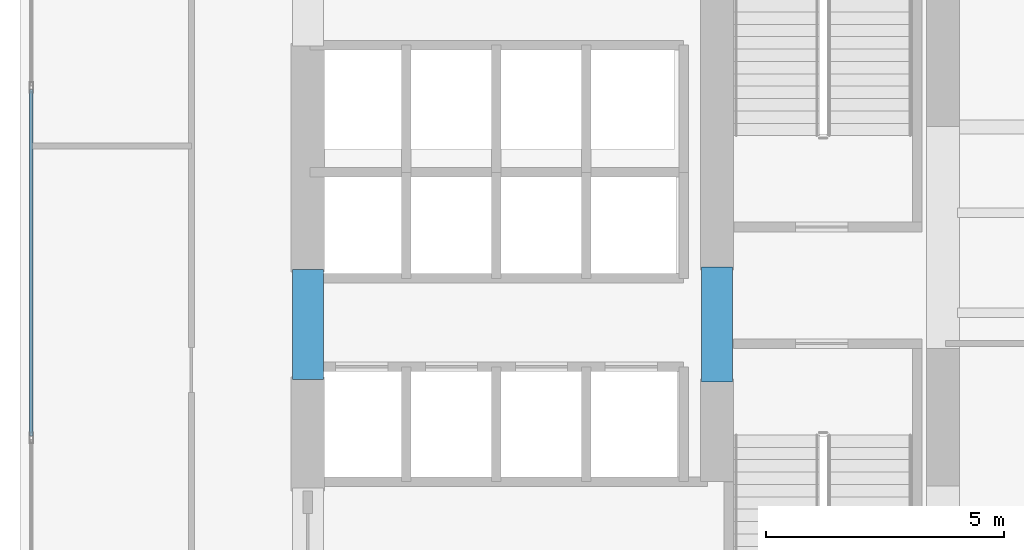
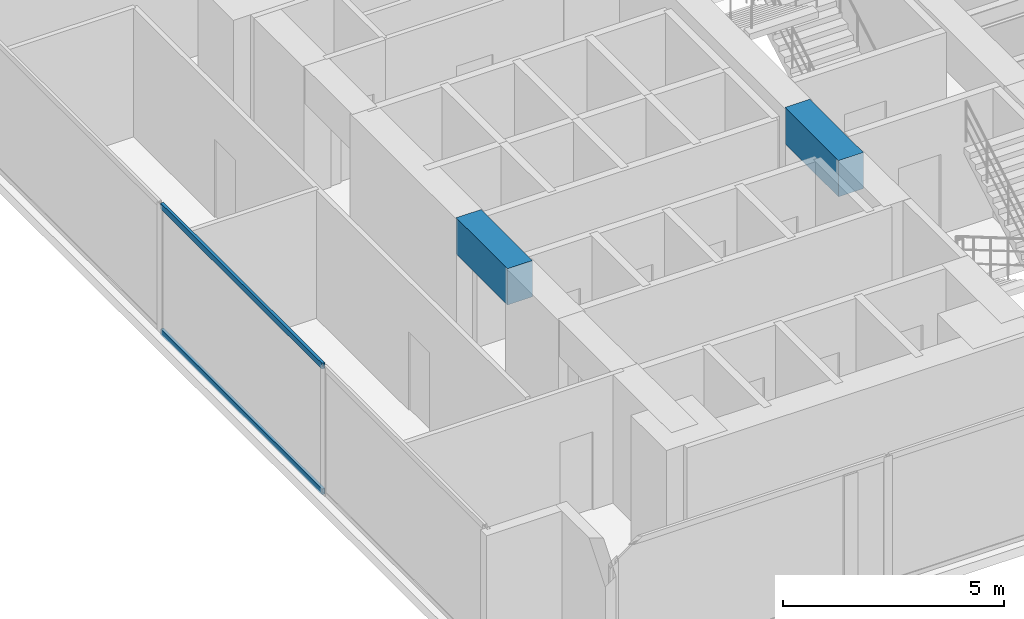
# One storey, part 3 of 30: 2 beams, 2 members, 1 element without a shape of its own.
"""IFC4 building model written with IfcOpenShell, lengths in metres."""

from ifc_helpers import new_model, si_unit, direction, frame, origin, origin_with_axes, origin_2d, place, context, subcontext, project, spatial, rectangle, hollow_rectangle, extrude, source, transform, mapped, material, layer, layer_set, material_profile, profile_set, type_object, element, aggregate, save


model = new_model("IFC4")

# Units and contexts
model_context = context("Model", 3, precision=1e-05, world=origin(), true_north=direction((0.0, 1.0)))
body_context = subcontext(model_context, "Body", "Model", "MODEL_VIEW")
ifc_project = project(units=[si_unit("LENGTHUNIT", "METRE"), si_unit("AREAUNIT", "SQUARE_METRE"), si_unit("VOLUMEUNIT", "CUBIC_METRE"), si_unit("PLANEANGLEUNIT", "RADIAN"), si_unit("MASSUNIT", "GRAM", prefix="KILO")], contexts=[model_context])

# Site, building, storey
site_placement = place(None, origin())
site = spatial("IfcSite", under=ifc_project, at=site_placement, CompositionType="ELEMENT")
building_placement = place(site_placement, origin())
building = spatial("IfcBuilding", under=site, at=building_placement, Name="Kolvaren Waterfront Exchange", CompositionType="ELEMENT")
storey_placement = place(building_placement, frame((0.0, 0.0, 52.39990234375)))
storey = spatial("IfcBuildingStorey", under=building, at=storey_placement, Name="L13", CompositionType="ELEMENT", Elevation=52.39990234375)

# Beams
ifc_material_1 = material(Name="Concrete C60/75", Category="concrete")
ifc_material_profile_1 = material_profile(ifc_material_1, rectangle(XDim=0.64990234375, YDim=1.0, at=origin_2d()), Name="RC-CB-1000x650")
ifc_profile_set_1 = profile_set([ifc_material_profile_1], Name="Concrete C60/75")
beam_type = type_object("IfcBeamType", Name="STR-CB-1000", PredefinedType="SPANDREL", material=ifc_profile_set_1)
beam_1_placement = place(storey_placement, frame((7.449951171875, 12.090087890625, 3.0400390625), z_axis=(0.0, 1.0, 0.0), x_axis=(-1.0, 0.0, 0.0)))
element("IfcBeam", 1, at=beam_1_placement, inside=storey, type_object=beam_type, Name="L13 core coupling beam 4", PredefinedType="SPANDREL", context=body_context, shape_type="SweptSolid", body=[
    extrude(rectangle(XDim=0.64990234375, YDim=1.0, at=origin_2d()), origin(), (0.0, 0.0, 1.0), 2.31982421875),
])
beam_2_placement = place(storey_placement, frame((16.050048828125, 12.0400390625, 3.0400390625), z_axis=(0.0, 1.0, 0.0), x_axis=(-1.0, 0.0, 0.0)))
element("IfcBeam", 2, at=beam_2_placement, inside=storey, type_object=beam_type, Name="L13 core coupling beam 6", PredefinedType="SPANDREL", context=body_context, shape_type="SweptSolid", body=[
    extrude(rectangle(XDim=0.64990234375, YDim=1.0, at=origin_2d()), origin(), (0.0, 0.0, 1.0), 2.419921875),
])

# Curtain wall, members
ifc_material_2 = material(Name="Anodised aluminium 6063-T6", Category="aluminium")
ifc_layer = layer(ifc_material_2, 0.219970703125, Name="Anodised aluminium 6063-T6")
ifc_layer_set = layer_set([ifc_layer], Name="Anodised aluminium 6063-T6")
curtain_wall_type = type_object("IfcCurtainWallType", Name="ARC-CW-SYS2", PredefinedType="USERDEFINED", material=ifc_layer_set)
curtain_wall_placement = place(storey_placement, origin())
curtain_wall = element("IfcCurtainWall", 3, at=curtain_wall_placement, inside=storey, type_object=curtain_wall_type, Name="L13 stick curtain wall CW2 (CW-L13-W)", ObjectType="STICK CURTAIN WALL", PredefinedType="USERDEFINED")
ifc_material_profile_2 = material_profile(ifc_material_2, hollow_rectangle(XDim=0.074951171875, YDim=0.159912109375, WallThickness=0.00439453125, at=origin_2d()), Name="ALU-TRN-160x75x4.5")
ifc_profile_set_2 = profile_set([ifc_material_profile_2], Name="Anodised aluminium 6063-T6")
member_type = type_object("IfcMemberType", Name="ARC-CWT-160", PredefinedType="USERDEFINED", material=ifc_profile_set_2)
shared_shape = source(origin_with_axes(), body_context, "Body", "SweptSolid", [
    extrude(hollow_rectangle(XDim=0.074951171875, YDim=0.159912109375, WallThickness=0.00439453125, at=origin_2d()), origin(), (0.0, 0.0, 1.0), 7.28662109375),
])
member_1_placement = place(storey_placement, frame((1.639892578125, 10.90673828125, 0.03759765625), z_axis=(0.0, 1.0, 0.0), x_axis=(-1.0, 0.0, 0.0)))
member_1 = element("IfcMember", 4, at=member_1_placement, type_object=member_type, Name="CW2 transom 2.1", ObjectType="TRANSOM", PredefinedType="USERDEFINED", context=body_context, shape_type="MappedRepresentation", body=[
    mapped(shared_shape, transform((0.0, 0.0, 0.0), x_axis=(1.0, 0.0, 0.0), y_axis=(0.0, 1.0, 0.0), z_axis=(0.0, 0.0, 1.0), scale=1.0)),
])
member_2_placement = place(storey_placement, frame((1.639892578125, 10.90673828125, 3.502685546875), z_axis=(0.0, 1.0, 0.0), x_axis=(-1.0, 0.0, 0.0)))
member_2 = element("IfcMember", 5, at=member_2_placement, type_object=member_type, Name="CW2 transom 2.2", ObjectType="TRANSOM", PredefinedType="USERDEFINED", context=body_context, shape_type="MappedRepresentation", body=[
    mapped(shared_shape, transform((0.0, 0.0, 0.0), x_axis=(1.0, 0.0, 0.0), y_axis=(0.0, 1.0, 0.0), z_axis=(0.0, 0.0, 1.0), scale=1.0)),
])
aggregate(curtain_wall, [member_1, member_2])

save(model, "model.ifc")
